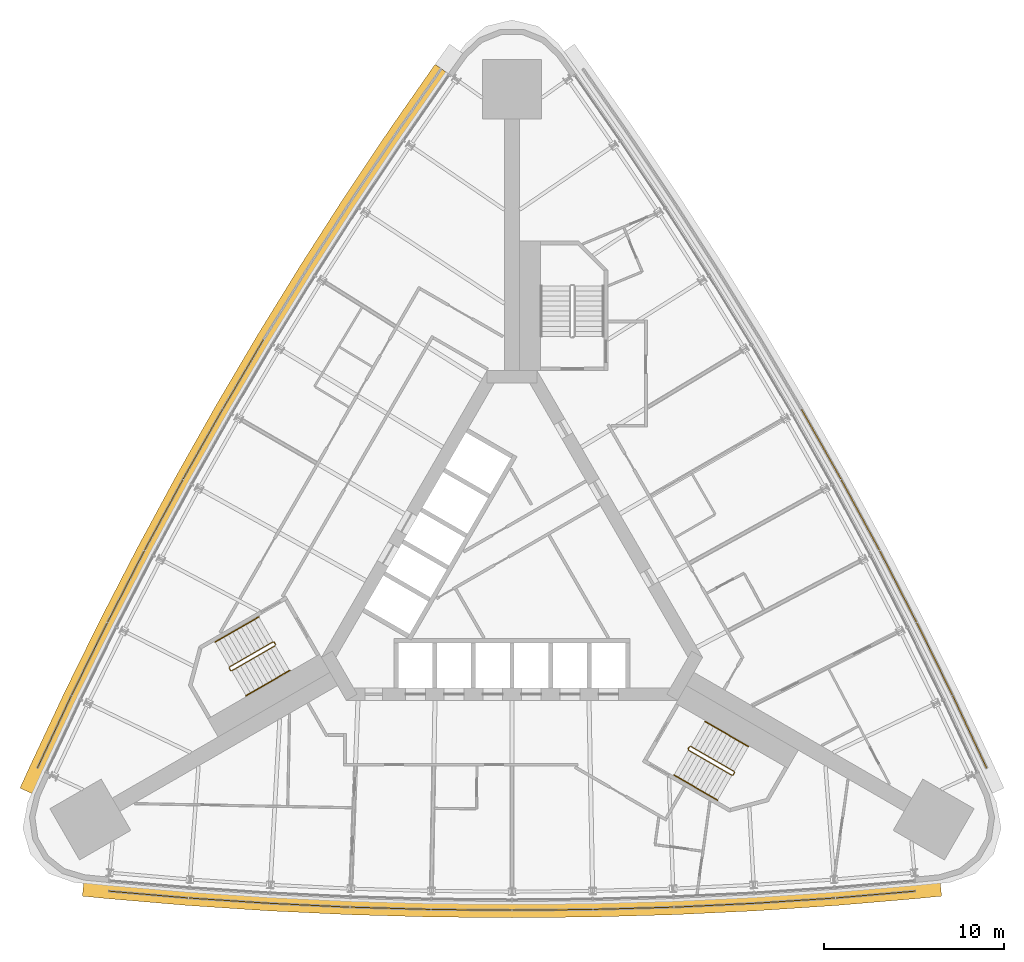
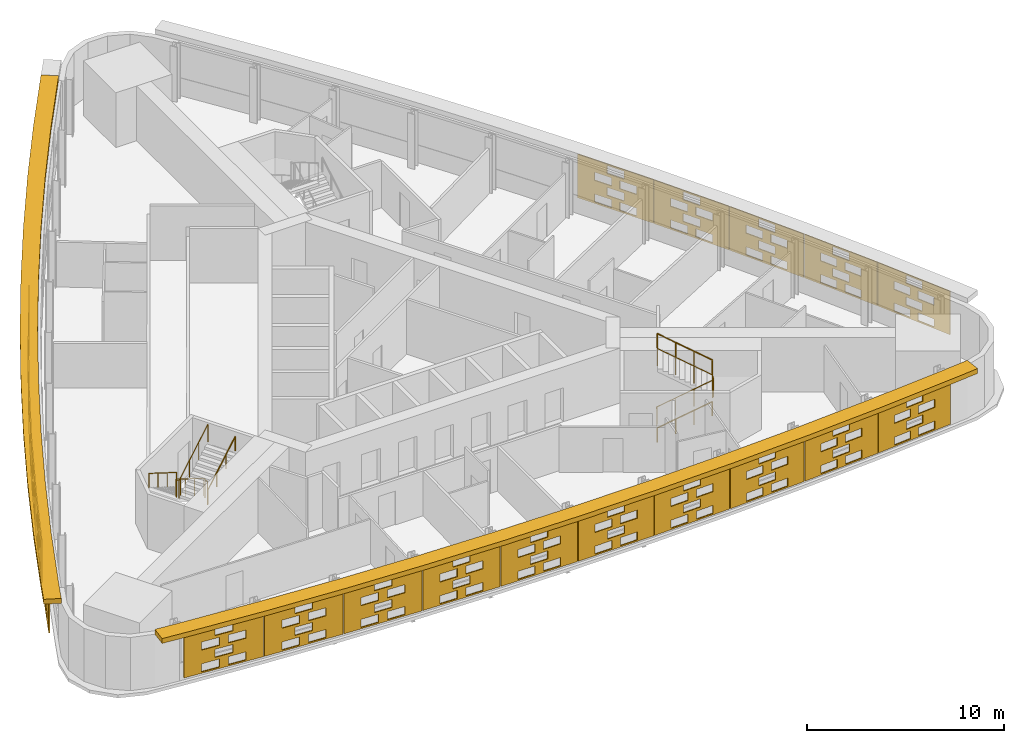
# One storey, part 14 of 15: 23 shading devices, 6 railings.
"""IFC4 building model written with IfcOpenShell, lengths in metres."""

import ifcopenshell
import ifcopenshell.guid

model = None  # the IFC model being written
_history = None  # IfcOwnerHistory: only IFC2X3 demands one
_inside = {}  # id of a spatial element -> (the spatial element, [elements in it])
_under = {}  # id of a project, library or spatial element -> (it, [spatial elements below it])
_declared = {}  # id of a project -> (the project, [libraries it declares])
_typed = {}  # id of a type object -> (the type object, [elements of that type])
_made_of = {}  # id of a material, layer set ... -> (it, [elements and type objects made of it])


def new_model(schema):
    """Start an empty IFC model of exactly this schema.

    Asked for "IFC4X3", IfcOpenShell would pick the latest addendum, in which some entities
    have other attributes; the version numbers below select the first issue.
    IFC2X3 requires an IfcOwnerHistory on every rooted entity: one is made here for all.
    """
    global model, _history
    if schema == "IFC4X3":
        model = ifcopenshell.file(schema_version=(4, 3, 0, 0))
    else:
        model = ifcopenshell.file(schema=schema)
    _inside.clear()
    _under.clear()
    _declared.clear()
    _typed.clear()
    _made_of.clear()
    _history = None
    if model.schema == "IFC2X3":
        org = make("IfcOrganization", Name="unknown")
        user = make(
            "IfcPersonAndOrganization",
            ThePerson=make("IfcPerson", FamilyName="unknown"),
            TheOrganization=org,
        )
        app = make(
            "IfcApplication",
            ApplicationDeveloper=org,
            Version="unknown",
            ApplicationFullName="unknown",
            ApplicationIdentifier="unknown",
        )
        _history = make(
            "IfcOwnerHistory",
            OwningUser=user,
            OwningApplication=app,
            ChangeAction="ADDED",
            CreationDate=0,
        )
    return model


def make(cls, **values):
    """One entity of the class cls with the attributes given. An attribute that is None is left unset."""
    return model.create_entity(
        cls, **{name: value for name, value in values.items() if value is not None}
    )


def rooted(cls, **values):
    """An entity with a GlobalId (a new one), such as an element, a storey or a relation."""
    return make(cls, GlobalId=ifcopenshell.guid.new(), OwnerHistory=_history, **values)


def si_unit(unit_type, name, prefix=None):
    """IfcSIUnit, for example si_unit("LENGTHUNIT", "METRE", prefix="MILLI")."""
    return make("IfcSIUnit", UnitType=unit_type, Prefix=prefix, Name=name)


def assignment(units):
    """IfcUnitAssignment: the units of a project."""
    return None if units is None else make("IfcUnitAssignment", Units=units)


def point(xyz):
    """IfcCartesianPoint."""
    return None if xyz is None else make("IfcCartesianPoint", Coordinates=xyz)


def direction(xyz):
    """IfcDirection."""
    return None if xyz is None else make("IfcDirection", DirectionRatios=xyz)


def frame(location, z_axis=None, x_axis=None):
    """IfcAxis2Placement3D, a coordinate frame: its origin and axes. An axis left out is left unset."""
    return make(
        "IfcAxis2Placement3D",
        Location=point(location),
        Axis=direction(z_axis),
        RefDirection=direction(x_axis),
    )


def frame_2d(location, x_axis=None):
    """IfcAxis2Placement2D, a coordinate frame in the plane: its origin and x axis."""
    return make(
        "IfcAxis2Placement2D", Location=point(location), RefDirection=direction(x_axis)
    )


def origin():
    """The frame at (0, 0, 0) with its axes left unset."""
    return frame((0.0, 0.0, 0.0))


def origin_2d():
    """The frame at (0, 0) in the plane with its x axis left unset."""
    return frame_2d((0.0, 0.0))


def place(relative_to, where):
    """IfcLocalPlacement: puts the frame where relative to a parent placement (None: the world)."""
    return make(
        "IfcLocalPlacement", PlacementRelTo=relative_to, RelativePlacement=where
    )


def context(
    kind, dimensions, precision=None, world=None, true_north=None, identifier=None
):
    """IfcGeometricRepresentationContext, for example the 3D "Model" context."""
    return make(
        "IfcGeometricRepresentationContext",
        ContextIdentifier=identifier,
        ContextType=kind,
        CoordinateSpaceDimension=dimensions,
        Precision=precision,
        WorldCoordinateSystem=world,
        TrueNorth=true_north,
    )


def subcontext(parent, identifier, kind, view, scale=None):
    """IfcGeometricRepresentationSubContext, for example "Body" below "Model"."""
    return make(
        "IfcGeometricRepresentationSubContext",
        ContextIdentifier=identifier,
        ContextType=kind,
        ParentContext=parent,
        TargetScale=scale,
        TargetView=view,
    )


def project(units=None, contexts=None):
    """IfcProject with its units and contexts."""
    return rooted(
        "IfcProject",
        Name="project",
        RepresentationContexts=contexts,
        UnitsInContext=assignment(units),
    )


def spatial(cls, under=None, at=None, **own):
    """A site, building, storey or space (cls), placed at a placement, below another one or the project."""
    s = rooted(cls, ObjectPlacement=at, **own)
    if under is not None:
        _under.setdefault(under.id(), (under, []))[1].append(s)
    return s


def polyline(points):
    """IfcPolyline through the points."""
    return make("IfcPolyline", Points=[point(p) for p in points])


def profile(cls, at=None, kind="AREA", **sizes):
    """A parametric profile (cls). Its sizes go by their IFC names, for example OverallWidth=200.0."""
    return make(cls, ProfileType=kind, Position=at, **sizes)


def circle(**sizes):
    """IfcCircleProfileDef."""
    return profile("IfcCircleProfileDef", **sizes)


def outline(outer, holes=None, kind="AREA"):
    """IfcArbitraryClosedProfileDef: a profile drawn as a closed curve; with holes, ...WithVoids."""
    if holes is None:
        return make("IfcArbitraryClosedProfileDef", ProfileType=kind, OuterCurve=outer)
    return make(
        "IfcArbitraryProfileDefWithVoids",
        ProfileType=kind,
        OuterCurve=outer,
        InnerCurves=holes,
    )


def extrude(swept, where, along, depth):
    """IfcExtrudedAreaSolid: the profile swept, set in the frame where, extruded along a direction by depth."""
    return make(
        "IfcExtrudedAreaSolid",
        SweptArea=swept,
        Position=where,
        ExtrudedDirection=direction(along),
        Depth=depth,
    )


def shape(context_of_items, identifier, shape_type, items):
    """IfcShapeRepresentation: the items that make up one representation, for example the "Body"."""
    return make(
        "IfcShapeRepresentation",
        ContextOfItems=context_of_items,
        RepresentationIdentifier=identifier,
        RepresentationType=shape_type,
        Items=items,
    )


def material(Name=None, Category=None):
    """IfcMaterial."""
    return make("IfcMaterial", Name=Name, Category=Category)


def material_profile(
    of_material, cross_section, Name=None, Category=None, Priority=None
):
    """IfcMaterialProfile: a cross section and its material."""
    return make(
        "IfcMaterialProfile",
        Name=Name,
        Material=of_material,
        Profile=cross_section,
        Priority=Priority,
        Category=Category,
    )


def profile_set(profiles, Name=None, composite=None):
    """IfcMaterialProfileSet."""
    return make(
        "IfcMaterialProfileSet",
        Name=Name,
        MaterialProfiles=profiles,
        CompositeProfile=composite,
    )


def made_of(thing, what):
    """Note that an element or type object is made of a material, layer set ...; save() writes the relation."""
    if what is not None:
        _made_of.setdefault(what.id(), (what, []))[1].append(thing)
    return thing


def type_object(cls, material=None, **own):
    """A type object (cls), such as IfcWallType, which elements share."""
    return made_of(rooted(cls, **own), material)


def element(
    cls,
    number,
    at=None,
    inside=None,
    cuts=None,
    type_object=None,
    material=None,
    context=None,
    identifier="Body",
    shape_type=None,
    held_by="IfcProductDefinitionShape",
    body=None,
    shapes=None,
    **own,
):
    """One element of the class cls, such as IfcWall. Its Tag is "e" and its number.

    at: its placement. inside: the storey or other place that contains it. cuts: it is an
    opening in that element (IfcRelVoidsElement). A single representation is given by context,
    identifier, shape_type and body (its items); several are given by shapes. held_by: the class
    of the entity that holds the representations. save() writes the other relations.
    """
    e = rooted(cls, Tag="e%d" % number, ObjectPlacement=at, **own)
    if body is not None:
        shapes = [shape(context, identifier, shape_type, body)]
    if shapes is not None:
        e.Representation = make(held_by, Representations=shapes)
    if inside is not None:
        _inside.setdefault(inside.id(), (inside, []))[1].append(e)
    if cuts is not None:
        rooted(
            "IfcRelVoidsElement", RelatingBuildingElement=cuts, RelatedOpeningElement=e
        )
    if type_object is not None:
        _typed.setdefault(type_object.id(), (type_object, []))[1].append(e)
    return made_of(e, material)


def aggregate(whole, parts):
    """IfcRelAggregates: a whole, such as a stair, and the parts it consists of."""
    return rooted("IfcRelAggregates", RelatingObject=whole, RelatedObjects=parts)


def save(model, path):
    """Write the relations noted so far, then the file.

    IfcRelAggregates (storeys below a building ...), IfcRelContainedInSpatialStructure (elements
    in a storey), IfcRelDefinesByType, IfcRelAssociatesMaterial and IfcRelDeclares: one each for
    every whole, place, type object, material and project.
    """
    for whole, parts in _under.values():
        aggregate(whole, parts)
    for where, things in _inside.values():
        rooted(
            "IfcRelContainedInSpatialStructure",
            RelatedElements=things,
            RelatingStructure=where,
        )
    for kind, things in _typed.values():
        rooted("IfcRelDefinesByType", RelatedObjects=things, RelatingType=kind)
    for what, things in _made_of.values():
        rooted("IfcRelAssociatesMaterial", RelatedObjects=things, RelatingMaterial=what)
    for by, libraries in _declared.values():
        rooted("IfcRelDeclares", RelatingContext=by, RelatedDefinitions=libraries)
    model.write(path)


model = new_model("IFC4")

# Units and contexts
model_context = context("Model", 3, precision=1e-05, world=origin(), true_north=direction((0.0, 1.0)))
body_context = subcontext(model_context, "Body", "Model", "MODEL_VIEW")
ifc_project = project(units=[si_unit("LENGTHUNIT", "METRE"), si_unit("AREAUNIT", "SQUARE_METRE"), si_unit("VOLUMEUNIT", "CUBIC_METRE"), si_unit("PLANEANGLEUNIT", "RADIAN"), si_unit("MASSUNIT", "GRAM", prefix="KILO")], contexts=[model_context])

# Site, building, storey
site_placement = place(None, origin())
site = spatial("IfcSite", under=ifc_project, at=site_placement, CompositionType="ELEMENT")
building_placement = place(site_placement, origin())
building = spatial("IfcBuilding", under=site, at=building_placement, Name="Noor Cloister Tower", CompositionType="ELEMENT")
storey_placement = place(building_placement, frame((0.0, 0.0, 45.60009765625)))
storey = spatial("IfcBuildingStorey", under=building, at=storey_placement, Name="L11", CompositionType="ELEMENT", Elevation=45.60009765625)

# Shading devices
ifc_material_1 = material(Name="Limestone", Category="masonry")
ifc_material_profile = material_profile(ifc_material_1, outline(polyline([(-2.22998046875, -1.35009765625), (2.22998046875, -1.35009765625), (2.22998046875, 1.35009765625), (-2.22998046875, 1.35009765625), (-2.22998046875, -1.35009765625)]), holes=[polyline([(-1.25, -1.263427734375), (-0.25, -1.263427734375), (-0.25, -0.76171875), (-1.25, -0.76171875), (-1.25, -1.263427734375)]), polyline([(0.25, -1.263427734375), (1.25, -1.263427734375), (1.25, -0.76171875), (0.25, -0.76171875), (0.25, -1.263427734375)]), polyline([(-0.5, -0.58837890625), (0.5, -0.58837890625), (0.5, -0.086669921875), (-0.5, -0.086669921875), (-0.5, -0.58837890625)]), polyline([(-1.25, 0.086669921875), (-0.25, 0.086669921875), (-0.25, 0.58837890625), (-1.25, 0.58837890625), (-1.25, 0.086669921875)]), polyline([(0.25, 0.086669921875), (1.25, 0.086669921875), (1.25, 0.58837890625), (0.25, 0.58837890625), (0.25, 0.086669921875)]), polyline([(-0.5, 0.76171875), (0.5, 0.76171875), (0.5, 1.263427734375), (-0.5, 1.263427734375), (-0.5, 0.76171875)])]), Name="Woven screen 25 percent open")
ifc_profile_set = profile_set([ifc_material_profile], Name="Limestone")
shading_device_type_1 = type_object("IfcShadingDeviceType", Name="SCREEN woven limestone 25 percent open", PredefinedType="USERDEFINED", material=ifc_profile_set)
for number, where, z_axis, x_axis, name in (
    (1, (-14.9462890625, 11.232177734375, 1.849853515625), (-0.863187603129, 0.504883315038, 0.0), (-0.504883315038, -0.863187603129, 0.0), "SCREEN L11 5"),
    (2, (-17.200439453125, 7.327880859375, 1.849853515625), (-0.87048706901, 0.492191286683, 0.0), (-0.492191286683, -0.87048706901, 0.0), "SCREEN L11 6"),
    (3, (-19.38037109375, 3.381591796875, 1.849853515625), (-0.879291966537, 0.476283148541, 0.0), (-0.476283148541, -0.879291966537, 0.0), "SCREEN L11 7"),
):
    element("IfcShadingDevice", number, at=place(storey_placement, frame(where, z_axis=z_axis, x_axis=x_axis)), inside=storey, type_object=shading_device_type_1, Name=name, ObjectType="SCREEN", PredefinedType="USERDEFINED", context=body_context, shape_type="SweptSolid", body=[
        extrude(outline(polyline([(-2.22998046875, -1.35009765625), (2.22998046875, -1.35009765625), (2.22998046875, 1.35009765625), (-2.22998046875, 1.35009765625), (-2.22998046875, -1.35009765625)]), holes=[polyline([(-1.25, -1.263427734375), (-0.25, -1.263427734375), (-0.25, -0.76171875), (-1.25, -0.76171875), (-1.25, -1.263427734375)]), polyline([(0.25, -1.263427734375), (1.25, -1.263427734375), (1.25, -0.76171875), (0.25, -0.76171875), (0.25, -1.263427734375)]), polyline([(-0.5, -0.58837890625), (0.5, -0.58837890625), (0.5, -0.086669921875), (-0.5, -0.086669921875), (-0.5, -0.58837890625)]), polyline([(-1.25, 0.086669921875), (-0.25, 0.086669921875), (-0.25, 0.58837890625), (-1.25, 0.58837890625), (-1.25, 0.086669921875)]), polyline([(0.25, 0.086669921875), (1.25, 0.086669921875), (1.25, 0.58837890625), (0.25, 0.58837890625), (0.25, 0.086669921875)]), polyline([(-0.5, 0.76171875), (0.5, 0.76171875), (0.5, 1.263427734375), (-0.5, 1.263427734375), (-0.5, 0.76171875)])]), origin(), (0.0, 0.0, 1.0), 0.06005859375),
    ])
for number, where, z_axis, x_axis, name in (
    (4, (-21.485107421875, -0.60498046875, 1.849853515625), (-0.88947737876, 0.456979203766, 0.0), (-0.456979203766, -0.88947737876, 0.0), "SCREEN L11 8"),
    (5, (-23.51416015625, -4.630859375, 1.849853515625), (-0.897667610562, 0.440673190639, 0.0), (-0.440673190639, -0.897667610562, 0.0), "SCREEN L11 9"),
    (6, (-25.466796875, -8.6943359375, 1.849853515625), (-0.905556888257, 0.424224848553, 0.0), (-0.424224848553, -0.905556888257, 0.0), "SCREEN L11 10"),
):
    element("IfcShadingDevice", number, at=place(storey_placement, frame(where, z_axis=z_axis, x_axis=x_axis)), inside=storey, type_object=shading_device_type_1, Name=name, ObjectType="SCREEN", PredefinedType="USERDEFINED", context=body_context, shape_type="SweptSolid", body=[
        extrude(outline(polyline([(-2.22998046875, -1.35009765625), (2.22998046875, -1.35009765625), (2.22998046875, 1.35009765625), (-2.22998046875, 1.35009765625), (-2.22998046875, -1.35009765625)]), holes=[polyline([(-1.25, -1.263427734375), (-0.25, -1.263427734375), (-0.25, -0.76171875), (-1.25, -0.76171875), (-1.25, -1.263427734375)]), polyline([(0.25, -1.263427734375), (1.25, -1.263427734375), (1.25, -0.76171875), (0.25, -0.76171875), (0.25, -1.263427734375)]), polyline([(-0.5, -0.58837890625), (0.5, -0.58837890625), (0.5, -0.086669921875), (-0.5, -0.086669921875), (-0.5, -0.58837890625)]), polyline([(-1.25, 0.086669921875), (-0.25, 0.086669921875), (-0.25, 0.58837890625), (-1.25, 0.58837890625), (-1.25, 0.086669921875)]), polyline([(0.25, 0.086669921875), (1.25, 0.086669921875), (1.25, 0.58837890625), (0.25, 0.58837890625), (0.25, 0.086669921875)]), polyline([(-0.5, 0.76171875), (0.5, 0.76171875), (0.5, 1.263427734375), (-0.5, 1.263427734375), (-0.5, 0.76171875)])]), origin(), (0.0, 0.0, 1.0), 0.059814453125),
    ])
for number, where, z_axis, x_axis, name in (
    (7, (-20.262939453125, -17.70751953125, 1.849853515625), (-0.085401141346, -0.996346649042, 0.0), (0.996346649042, -0.085401141346, 0.0), "SCREEN L11 1"),
    (8, (-15.767578125, -18.04833984375, 1.849853515625), (-0.065167304621, -0.997874352015, 0.0), (0.997874352015, -0.065167304621, 0.0), "SCREEN L11 2"),
):
    element("IfcShadingDevice", number, at=place(storey_placement, frame(where, z_axis=z_axis, x_axis=x_axis)), inside=storey, type_object=shading_device_type_1, Name=name, ObjectType="SCREEN", PredefinedType="USERDEFINED", context=body_context, shape_type="SweptSolid", body=[
        extrude(outline(polyline([(-2.22998046875, -1.35009765625), (2.22998046875, -1.35009765625), (2.22998046875, 1.35009765625), (-2.22998046875, 1.35009765625), (-2.22998046875, -1.35009765625)]), holes=[polyline([(-1.25, -1.263427734375), (-0.25, -1.263427734375), (-0.25, -0.76171875), (-1.25, -0.76171875), (-1.25, -1.263427734375)]), polyline([(0.25, -1.263427734375), (1.25, -1.263427734375), (1.25, -0.76171875), (0.25, -0.76171875), (0.25, -1.263427734375)]), polyline([(-0.5, -0.58837890625), (0.5, -0.58837890625), (0.5, -0.086669921875), (-0.5, -0.086669921875), (-0.5, -0.58837890625)]), polyline([(-1.25, 0.086669921875), (-0.25, 0.086669921875), (-0.25, 0.58837890625), (-1.25, 0.58837890625), (-1.25, 0.086669921875)]), polyline([(0.25, 0.086669921875), (1.25, 0.086669921875), (1.25, 0.58837890625), (0.25, 0.58837890625), (0.25, 0.086669921875)]), polyline([(-0.5, 0.76171875), (0.5, 0.76171875), (0.5, 1.263427734375), (-0.5, 1.263427734375), (-0.5, 0.76171875)])]), origin(), (0.0, 0.0, 1.0), 0.06005859375),
    ])
shading_device_1_placement = place(storey_placement, frame((-11.2666015625, -18.30419921875, 1.849853515625), z_axis=(-0.048920946303, -0.998802653687, 0.0), x_axis=(0.998802653687, -0.048920946303, 0.0)))
element("IfcShadingDevice", 9, at=shading_device_1_placement, inside=storey, type_object=shading_device_type_1, Name="SCREEN L11 3", ObjectType="SCREEN", PredefinedType="USERDEFINED", context=body_context, shape_type="SweptSolid", body=[
    extrude(outline(polyline([(-2.22998046875, -1.35009765625), (2.22998046875, -1.35009765625), (2.22998046875, 1.35009765625), (-2.22998046875, 1.35009765625), (-2.22998046875, -1.35009765625)]), holes=[polyline([(-1.25, -1.263427734375), (-0.25, -1.263427734375), (-0.25, -0.76171875), (-1.25, -0.76171875), (-1.25, -1.263427734375)]), polyline([(0.25, -1.263427734375), (1.25, -1.263427734375), (1.25, -0.76171875), (0.25, -0.76171875), (0.25, -1.263427734375)]), polyline([(-0.5, -0.58837890625), (0.5, -0.58837890625), (0.5, -0.086669921875), (-0.5, -0.086669921875), (-0.5, -0.58837890625)]), polyline([(-1.25, 0.086669921875), (-0.25, 0.086669921875), (-0.25, 0.58837890625), (-1.25, 0.58837890625), (-1.25, 0.086669921875)]), polyline([(0.25, 0.086669921875), (1.25, 0.086669921875), (1.25, 0.58837890625), (0.25, 0.58837890625), (0.25, 0.086669921875)]), polyline([(-0.5, 0.76171875), (0.5, 0.76171875), (0.5, 1.263427734375), (-0.5, 1.263427734375), (-0.5, 0.76171875)])]), origin(), (0.0, 0.0, 1.0), 0.059814453125),
])
for number, where, z_axis, x_axis, name in (
    (10, (-6.761474609375, -18.474609375, 1.849853515625), (-0.028443771376, -0.999595394082, 0.0), (0.999595394082, -0.028443771376, 0.0), "SCREEN L11 4"),
    (11, (-2.254150390625, -18.559814453125, 1.849853515625), (-0.008129812622, -0.999966952527, 0.0), (0.999966952527, -0.008129812622, 0.0), "SCREEN L11 5"),
    (12, (2.254150390625, -18.559814453125, 1.849853515625), (0.008129812622, -0.999966952527, 0.0), (0.999966952527, 0.008129812622, 0.0), "SCREEN L11 6"),
    (13, (6.761474609375, -18.474609375, 1.849853515625), (0.028443771376, -0.999595394082, 0.0), (0.999595394082, 0.028443771376, 0.0), "SCREEN L11 7"),
):
    element("IfcShadingDevice", number, at=place(storey_placement, frame(where, z_axis=z_axis, x_axis=x_axis)), inside=storey, type_object=shading_device_type_1, Name=name, ObjectType="SCREEN", PredefinedType="USERDEFINED", context=body_context, shape_type="SweptSolid", body=[
        extrude(outline(polyline([(-2.22998046875, -1.35009765625), (2.22998046875, -1.35009765625), (2.22998046875, 1.35009765625), (-2.22998046875, 1.35009765625), (-2.22998046875, -1.35009765625)]), holes=[polyline([(-1.25, -1.263427734375), (-0.25, -1.263427734375), (-0.25, -0.76171875), (-1.25, -0.76171875), (-1.25, -1.263427734375)]), polyline([(0.25, -1.263427734375), (1.25, -1.263427734375), (1.25, -0.76171875), (0.25, -0.76171875), (0.25, -1.263427734375)]), polyline([(-0.5, -0.58837890625), (0.5, -0.58837890625), (0.5, -0.086669921875), (-0.5, -0.086669921875), (-0.5, -0.58837890625)]), polyline([(-1.25, 0.086669921875), (-0.25, 0.086669921875), (-0.25, 0.58837890625), (-1.25, 0.58837890625), (-1.25, 0.086669921875)]), polyline([(0.25, 0.086669921875), (1.25, 0.086669921875), (1.25, 0.58837890625), (0.25, 0.58837890625), (0.25, 0.086669921875)]), polyline([(-0.5, 0.76171875), (0.5, 0.76171875), (0.5, 1.263427734375), (-0.5, 1.263427734375), (-0.5, 0.76171875)])]), origin(), (0.0, 0.0, 1.0), 0.06005859375),
    ])
shading_device_2_placement = place(storey_placement, frame((11.2666015625, -18.30419921875, 1.849853515625), z_axis=(0.048920946303, -0.998802653687, 0.0), x_axis=(0.998802653687, 0.048920946303, 0.0)))
element("IfcShadingDevice", 14, at=shading_device_2_placement, inside=storey, type_object=shading_device_type_1, Name="SCREEN L11 8", ObjectType="SCREEN", PredefinedType="USERDEFINED", context=body_context, shape_type="SweptSolid", body=[
    extrude(outline(polyline([(-2.22998046875, -1.35009765625), (2.22998046875, -1.35009765625), (2.22998046875, 1.35009765625), (-2.22998046875, 1.35009765625), (-2.22998046875, -1.35009765625)]), holes=[polyline([(-1.25, -1.263427734375), (-0.25, -1.263427734375), (-0.25, -0.76171875), (-1.25, -0.76171875), (-1.25, -1.263427734375)]), polyline([(0.25, -1.263427734375), (1.25, -1.263427734375), (1.25, -0.76171875), (0.25, -0.76171875), (0.25, -1.263427734375)]), polyline([(-0.5, -0.58837890625), (0.5, -0.58837890625), (0.5, -0.086669921875), (-0.5, -0.086669921875), (-0.5, -0.58837890625)]), polyline([(-1.25, 0.086669921875), (-0.25, 0.086669921875), (-0.25, 0.58837890625), (-1.25, 0.58837890625), (-1.25, 0.086669921875)]), polyline([(0.25, 0.086669921875), (1.25, 0.086669921875), (1.25, 0.58837890625), (0.25, 0.58837890625), (0.25, 0.086669921875)]), polyline([(-0.5, 0.76171875), (0.5, 0.76171875), (0.5, 1.263427734375), (-0.5, 1.263427734375), (-0.5, 0.76171875)])]), origin(), (0.0, 0.0, 1.0), 0.059814453125),
])
for number, where, z_axis, x_axis, name in (
    (15, (15.767578125, -18.04833984375, 1.849853515625), (0.065167304621, -0.997874352015, 0.0), (0.997874352015, 0.065167304621, 0.0), "SCREEN L11 9"),
    (16, (20.262939453125, -17.70751953125, 1.849853515625), (0.085401141346, -0.996346649042, 0.0), (0.996346649042, 0.085401141346, 0.0), "SCREEN L11 10"),
):
    element("IfcShadingDevice", number, at=place(storey_placement, frame(where, z_axis=z_axis, x_axis=x_axis)), inside=storey, type_object=shading_device_type_1, Name=name, ObjectType="SCREEN", PredefinedType="USERDEFINED", context=body_context, shape_type="SweptSolid", body=[
        extrude(outline(polyline([(-2.22998046875, -1.35009765625), (2.22998046875, -1.35009765625), (2.22998046875, 1.35009765625), (-2.22998046875, 1.35009765625), (-2.22998046875, -1.35009765625)]), holes=[polyline([(-1.25, -1.263427734375), (-0.25, -1.263427734375), (-0.25, -0.76171875), (-1.25, -0.76171875), (-1.25, -1.263427734375)]), polyline([(0.25, -1.263427734375), (1.25, -1.263427734375), (1.25, -0.76171875), (0.25, -0.76171875), (0.25, -1.263427734375)]), polyline([(-0.5, -0.58837890625), (0.5, -0.58837890625), (0.5, -0.086669921875), (-0.5, -0.086669921875), (-0.5, -0.58837890625)]), polyline([(-1.25, 0.086669921875), (-0.25, 0.086669921875), (-0.25, 0.58837890625), (-1.25, 0.58837890625), (-1.25, 0.086669921875)]), polyline([(0.25, 0.086669921875), (1.25, 0.086669921875), (1.25, 0.58837890625), (0.25, 0.58837890625), (0.25, 0.086669921875)]), polyline([(-0.5, 0.76171875), (0.5, 0.76171875), (0.5, 1.263427734375), (-0.5, 1.263427734375), (-0.5, 0.76171875)])]), origin(), (0.0, 0.0, 1.0), 0.06005859375),
    ])
for number, where, z_axis, x_axis, name in (
    (17, (25.466796875, -8.6943359375, 1.849853515625), (0.905556888257, 0.424224848553, 0.0), (-0.424224848553, 0.905556888257, 0.0), "SCREEN L11 1"),
    (18, (23.51416015625, -4.630859375, 1.849853515625), (0.897667610562, 0.440673190639, 0.0), (-0.440673190639, 0.897667610562, 0.0), "SCREEN L11 2"),
    (19, (21.485107421875, -0.60498046875, 1.849853515625), (0.88947737876, 0.456979203766, 0.0), (-0.456979203766, 0.88947737876, 0.0), "SCREEN L11 3"),
):
    element("IfcShadingDevice", number, at=place(storey_placement, frame(where, z_axis=z_axis, x_axis=x_axis)), inside=storey, type_object=shading_device_type_1, Name=name, ObjectType="SCREEN", PredefinedType="USERDEFINED", context=body_context, shape_type="SweptSolid", body=[
        extrude(outline(polyline([(-2.22998046875, -1.35009765625), (2.22998046875, -1.35009765625), (2.22998046875, 1.35009765625), (-2.22998046875, 1.35009765625), (-2.22998046875, -1.35009765625)]), holes=[polyline([(-1.25, -1.263427734375), (-0.25, -1.263427734375), (-0.25, -0.76171875), (-1.25, -0.76171875), (-1.25, -1.263427734375)]), polyline([(0.25, -1.263427734375), (1.25, -1.263427734375), (1.25, -0.76171875), (0.25, -0.76171875), (0.25, -1.263427734375)]), polyline([(-0.5, -0.58837890625), (0.5, -0.58837890625), (0.5, -0.086669921875), (-0.5, -0.086669921875), (-0.5, -0.58837890625)]), polyline([(-1.25, 0.086669921875), (-0.25, 0.086669921875), (-0.25, 0.58837890625), (-1.25, 0.58837890625), (-1.25, 0.086669921875)]), polyline([(0.25, 0.086669921875), (1.25, 0.086669921875), (1.25, 0.58837890625), (0.25, 0.58837890625), (0.25, 0.086669921875)]), polyline([(-0.5, 0.76171875), (0.5, 0.76171875), (0.5, 1.263427734375), (-0.5, 1.263427734375), (-0.5, 0.76171875)])]), origin(), (0.0, 0.0, 1.0), 0.059814453125),
    ])
for number, where, z_axis, x_axis, name in (
    (20, (19.38037109375, 3.381591796875, 1.849853515625), (0.879291966537, 0.476283148541, 0.0), (-0.476283148541, 0.879291966537, 0.0), "SCREEN L11 4"),
    (21, (17.200439453125, 7.327880859375, 1.849853515625), (0.87048706901, 0.492191286683, 0.0), (-0.492191286683, 0.87048706901, 0.0), "SCREEN L11 5"),
):
    element("IfcShadingDevice", number, at=place(storey_placement, frame(where, z_axis=z_axis, x_axis=x_axis)), inside=storey, type_object=shading_device_type_1, Name=name, ObjectType="SCREEN", PredefinedType="USERDEFINED", context=body_context, shape_type="SweptSolid", body=[
        extrude(outline(polyline([(-2.22998046875, -1.35009765625), (2.22998046875, -1.35009765625), (2.22998046875, 1.35009765625), (-2.22998046875, 1.35009765625), (-2.22998046875, -1.35009765625)]), holes=[polyline([(-1.25, -1.263427734375), (-0.25, -1.263427734375), (-0.25, -0.76171875), (-1.25, -0.76171875), (-1.25, -1.263427734375)]), polyline([(0.25, -1.263427734375), (1.25, -1.263427734375), (1.25, -0.76171875), (0.25, -0.76171875), (0.25, -1.263427734375)]), polyline([(-0.5, -0.58837890625), (0.5, -0.58837890625), (0.5, -0.086669921875), (-0.5, -0.086669921875), (-0.5, -0.58837890625)]), polyline([(-1.25, 0.086669921875), (-0.25, 0.086669921875), (-0.25, 0.58837890625), (-1.25, 0.58837890625), (-1.25, 0.086669921875)]), polyline([(0.25, 0.086669921875), (1.25, 0.086669921875), (1.25, 0.58837890625), (0.25, 0.58837890625), (0.25, 0.086669921875)]), polyline([(-0.5, 0.76171875), (0.5, 0.76171875), (0.5, 1.263427734375), (-0.5, 1.263427734375), (-0.5, 0.76171875)])]), origin(), (0.0, 0.0, 1.0), 0.06005859375),
    ])
ifc_material_2 = material(Name="Limestone", Category="masonry")
shading_device_type_2 = type_object("IfcShadingDeviceType", Name="SUNSHADE limestone band 900", PredefinedType="USERDEFINED", material=ifc_material_2)
shading_device_3_placement = place(storey_placement, frame((0.0, 0.0, 3.2998046875)))
element("IfcShadingDevice", 22, at=shading_device_3_placement, inside=storey, type_object=shading_device_type_2, Name="SUNSHADE L11 1", ObjectType="SUNSHADE", PredefinedType="USERDEFINED", context=body_context, shape_type="SweptSolid", body=[
    extrude(outline(polyline([(-4.286376953125, 28.505126953125), (-6.864501953125, 24.806396484375), (-9.376708984375, 21.052734375), (-11.817626953125, 17.251953125), (-14.18603515625, 13.40576171875), (-16.4814453125, 9.515625), (-18.702880859375, 5.58251953125), (-20.849365234375, 1.6083984375), (-22.92041015625, -2.40576171875), (-24.915283203125, -6.45849609375), (-26.831787109375, -10.54541015625), (-27.4052734375, -11.808837890625), (-26.585693359375, -12.180908203125), (-26.014404296875, -10.922607421875), (-24.10400390625, -6.848388671875), (-22.11669921875, -2.81103515625), (-20.053466796875, 1.18798828125), (-17.9150390625, 5.1474609375), (-15.7021484375, 9.065673828125), (-13.415283203125, 12.941162109375), (-11.0556640625, 16.77294921875), (-8.6240234375, 20.55908203125), (-6.12109375, 24.298828125), (-3.548095703125, 27.990478515625), (-4.286376953125, 28.505126953125)])), origin(), (0.0, 0.0, 1.0), 0.300048828125),
])
shading_device_4_placement = place(storey_placement, frame((0.0, 0.0, 3.2998046875)))
element("IfcShadingDevice", 23, at=shading_device_4_placement, inside=storey, type_object=shading_device_type_2, Name="SUNSHADE L11 2", ObjectType="SUNSHADE", PredefinedType="USERDEFINED", context=body_context, shape_type="SweptSolid", body=[
    extrude(outline(polyline([(-23.929443359375, -17.8291015625), (-22.548583984375, -17.964111328125), (-18.05078125, -18.347900390625), (-13.543701171875, -18.646728515625), (-9.031982421875, -18.8603515625), (-4.516845703125, -18.988525390625), (0.0, -19.03125), (4.516845703125, -18.988525390625), (9.031982421875, -18.8603515625), (13.543701171875, -18.646728515625), (18.05078125, -18.347900390625), (22.548583984375, -17.964111328125), (23.929443359375, -17.8291015625), (23.841796875, -16.933349609375), (22.466552734375, -17.06787109375), (17.98291015625, -17.450439453125), (13.49267578125, -17.748291015625), (8.997802734375, -17.9609375), (4.499755859375, -18.088623046875), (0.0, -18.131103515625), (-4.499755859375, -18.088623046875), (-8.997802734375, -17.9609375), (-13.49267578125, -17.748291015625), (-17.98291015625, -17.450439453125), (-22.466552734375, -17.06787109375), (-23.841796875, -16.933349609375), (-23.929443359375, -17.8291015625)])), origin(), (0.0, 0.0, 1.0), 0.300048828125),
])

# Railings
ifc_material_3 = material(Name="Stainless steel", Category="steel")
railing_type_1 = type_object("IfcRailingType", Name="Stair guard 1100", PredefinedType="GUARDRAIL", material=ifc_material_3)
railing_1_placement = place(storey_placement, frame((-13.241455078125, -3.677734375, 0.0)))
element("IfcRailing", 24, at=railing_1_placement, inside=storey, type_object=railing_type_1, Name="Stair guard ST2 L11", PredefinedType="GUARDRAIL", context=body_context, shape_type="SweptSolid", body=[
    extrude(circle(Radius=0.02392578125, at=origin_2d()), frame((0.0, 0.0, 1.076171875), z_axis=(0.499112439033, -0.866537231285, 0.0), x_axis=(0.866537231285, 0.499112439033, 0.0)), (0.0, 0.0, 1.0), 0.150146484375),
    extrude(circle(Radius=0.02392578125, at=origin_2d()), frame((0.074951171875, -0.130126953125, 1.076171875), z_axis=(-0.544565797804, 0.563119998752, 0.621565731736), x_axis=(-0.718850276695, -0.695164929852, 0.0)), (0.0, 0.0, 1.0), 0.26318359375),
    extrude(circle(Radius=0.02392578125, at=origin_2d()), frame((-0.068359375, 0.01806640625, 1.23974609375), z_axis=(-0.74771821388, -0.431677027627, 0.504551698492), x_axis=(0.49998411664, -0.866034573852, 0.0)), (0.0, 0.0, 1.0), 3.242919921875),
    extrude(circle(Radius=0.02392578125, at=origin_2d()), frame((-2.4931640625, -1.3818359375, 2.8759765625), z_axis=(-0.258736085224, -0.965948051503, 0.0), x_axis=(0.965948051503, -0.258736085224, 0.0)), (0.0, 0.0, 1.0), 0.07080078125),
    extrude(circle(Radius=0.02392578125, at=origin_2d()), frame((-2.511474609375, -1.4501953125, 2.8759765625), z_axis=(0.499816412211, -0.866131372301, 0.0), x_axis=(0.866131372301, 0.499816412211, 0.0)), (0.0, 0.0, 1.0), 0.14990234375),
    extrude(circle(Radius=0.02392578125, at=origin_2d()), frame((-2.4365234375, -1.580078125, 2.8759765625), z_axis=(0.383070988865, -0.102608300589, 0.918002262601), x_axis=(0.258736085224, 0.965948051503, 0.0)), (0.0, 0.0, 1.0), 0.178466796875),
    extrude(circle(Radius=0.02392578125, at=origin_2d()), frame((-2.3681640625, -1.598388671875, 3.03955078125), z_axis=(0.747693913401, 0.431738279637, 0.504535300807), x_axis=(-0.500049511043, 0.865996816683, 0.0)), (0.0, 0.0, 1.0), 3.2431640625),
    extrude(circle(Radius=0.02099609375, at=origin_2d()), origin(), (0.0, 0.0, 1.0), 1.052001953125),
    extrude(circle(Radius=0.02099609375, at=origin_2d()), frame((0.074951171875, -0.130126953125, 0.0)), (0.0, 0.0, 1.0), 1.052001953125),
    extrude(circle(Radius=0.02099609375, at=origin_2d()), frame((-0.068359375, 0.01806640625, 0.16357421875)), (0.0, 0.0, 1.0), 1.052001953125),
    extrude(circle(Radius=0.02099609375, at=origin_2d()), frame((-0.876708984375, -0.448486328125, 0.708984375)), (0.0, 0.0, 1.0), 1.052001953125),
    extrude(circle(Radius=0.02099609375, at=origin_2d()), frame((-1.684814453125, -0.915283203125, 1.25439453125)), (0.0, 0.0, 1.0), 1.052001953125),
    extrude(circle(Radius=0.02099609375, at=origin_2d()), frame((-2.4931640625, -1.3818359375, 1.7998046875)), (0.0, 0.0, 1.0), 1.052001953125),
    extrude(circle(Radius=0.02099609375, at=origin_2d()), frame((-2.511474609375, -1.4501953125, 1.7998046875)), (0.0, 0.0, 1.0), 1.052001953125),
    extrude(circle(Radius=0.02099609375, at=origin_2d()), frame((-2.4365234375, -1.580078125, 1.7998046875)), (0.0, 0.0, 1.0), 1.052001953125),
    extrude(circle(Radius=0.02099609375, at=origin_2d()), frame((-2.3681640625, -1.598388671875, 1.963623046875)), (0.0, 0.0, 1.0), 1.052001953125),
    extrude(circle(Radius=0.02099609375, at=origin_2d()), frame((-1.559814453125, -1.131591796875, 2.509033203125)), (0.0, 0.0, 1.0), 1.052001953125),
    extrude(circle(Radius=0.02099609375, at=origin_2d()), frame((-0.751708984375, -0.6650390625, 3.054443359375)), (0.0, 0.0, 1.0), 1.052001953125),
    extrude(circle(Radius=0.02099609375, at=origin_2d()), frame((0.056640625, -0.1982421875, 3.599853515625)), (0.0, 0.0, 1.0), 1.052001953125),
])
railing_2_placement = place(storey_placement, frame((9.805908203125, -9.628662109375, 0.0)))
element("IfcRailing", 25, at=railing_2_placement, inside=storey, type_object=railing_type_1, Name="Stair guard ST3 L11", PredefinedType="GUARDRAIL", context=body_context, shape_type="SweptSolid", body=[
    extrude(circle(Radius=0.02392578125, at=origin_2d()), frame((0.0, 0.0, 1.076171875), z_axis=(0.499112439033, 0.866537231285, 0.0), x_axis=(-0.866537231285, 0.499112439033, 0.0)), (0.0, 0.0, 1.0), 0.150146484375),
    extrude(circle(Radius=0.02392578125, at=origin_2d()), frame((0.074951171875, 0.130126953125, 1.076171875), z_axis=(-0.215214839654, -0.753251938789, 0.621525614518), x_axis=(0.961523947641, -0.274721127897, 0.0)), (0.0, 0.0, 1.0), 0.26318359375),
    extrude(circle(Radius=0.02392578125, at=origin_2d()), frame((0.018310546875, -0.068115234375, 1.23974609375), z_axis=(0.747693913401, -0.431738279637, 0.504535300807), x_axis=(0.500049511043, 0.865996816683, 0.0)), (0.0, 0.0, 1.0), 3.2431640625),
    extrude(circle(Radius=0.02392578125, at=origin_2d()), frame((2.443115234375, -1.46826171875, 2.8759765625), z_axis=(0.965948051503, 0.258736085224, 0.0), x_axis=(-0.258736085224, 0.965948051503, 0.0)), (0.0, 0.0, 1.0), 0.07080078125),
    extrude(circle(Radius=0.02392578125, at=origin_2d()), frame((2.511474609375, -1.449951171875, 2.8759765625), z_axis=(0.499816412211, 0.866131372301, 0.0), x_axis=(-0.866131372301, 0.499816412211, 0.0)), (0.0, 0.0, 1.0), 0.14990234375),
    extrude(circle(Radius=0.02392578125, at=origin_2d()), frame((2.58642578125, -1.320068359375, 2.8759765625), z_axis=(-0.102608300589, 0.383070988865, 0.918002262601), x_axis=(-0.965948051503, -0.258736085224, 0.0)), (0.0, 0.0, 1.0), 0.178466796875),
    extrude(circle(Radius=0.02392578125, at=origin_2d()), frame((2.568115234375, -1.251708984375, 3.03955078125), z_axis=(-0.74771821388, 0.431677027627, 0.504551698492), x_axis=(-0.49998411664, -0.866034573852, 0.0)), (0.0, 0.0, 1.0), 3.242919921875),
    extrude(circle(Radius=0.02099609375, at=origin_2d()), origin(), (0.0, 0.0, 1.0), 1.052001953125),
    extrude(circle(Radius=0.02099609375, at=origin_2d()), frame((0.074951171875, 0.130126953125, 0.0)), (0.0, 0.0, 1.0), 1.052001953125),
    extrude(circle(Radius=0.02099609375, at=origin_2d()), frame((0.018310546875, -0.068115234375, 0.16357421875)), (0.0, 0.0, 1.0), 1.052001953125),
    extrude(circle(Radius=0.02099609375, at=origin_2d()), frame((0.82666015625, -0.534912109375, 0.708984375)), (0.0, 0.0, 1.0), 1.052001953125),
    extrude(circle(Radius=0.02099609375, at=origin_2d()), frame((1.634765625, -1.00146484375, 1.25439453125)), (0.0, 0.0, 1.0), 1.052001953125),
    extrude(circle(Radius=0.02099609375, at=origin_2d()), frame((2.443115234375, -1.46826171875, 1.7998046875)), (0.0, 0.0, 1.0), 1.052001953125),
    extrude(circle(Radius=0.02099609375, at=origin_2d()), frame((2.511474609375, -1.449951171875, 1.7998046875)), (0.0, 0.0, 1.0), 1.052001953125),
    extrude(circle(Radius=0.02099609375, at=origin_2d()), frame((2.58642578125, -1.320068359375, 1.7998046875)), (0.0, 0.0, 1.0), 1.052001953125),
    extrude(circle(Radius=0.02099609375, at=origin_2d()), frame((2.568115234375, -1.251708984375, 1.963623046875)), (0.0, 0.0, 1.0), 1.052001953125),
    extrude(circle(Radius=0.02099609375, at=origin_2d()), frame((1.759765625, -0.78515625, 2.509033203125)), (0.0, 0.0, 1.0), 1.052001953125),
    extrude(circle(Radius=0.02099609375, at=origin_2d()), frame((0.95166015625, -0.318359375, 3.054443359375)), (0.0, 0.0, 1.0), 1.052001953125),
    extrude(circle(Radius=0.02099609375, at=origin_2d()), frame((0.143310546875, 0.148193359375, 3.599853515625)), (0.0, 0.0, 1.0), 1.052001953125),
])
ifc_material_4 = material(Name="Stainless steel", Category="steel")
railing_type_2 = type_object("IfcRailingType", Name="Stair handrail 900", PredefinedType="HANDRAIL", material=ifc_material_4)
railing_3_placement = place(storey_placement, frame((-14.10986328125, -2.27392578125, 0.16357421875)))
element("IfcRailing", 26, at=railing_3_placement, inside=storey, type_object=railing_type_2, Name="Stair handrail ST2 L11 1", PredefinedType="HANDRAIL", context=body_context, shape_type="SweptSolid", body=[
    extrude(circle(Radius=0.02392578125, at=origin_2d()), frame((0.0, 0.0, 0.8759765625), z_axis=(-0.74771821388, -0.431677027627, 0.504551698492), x_axis=(0.49998411664, -0.866034573852, 0.0)), (0.0, 0.0, 1.0), 3.242919921875),
    extrude(circle(Radius=0.02099609375, at=origin_2d()), origin(), (0.0, 0.0, 1.0), 0.851806640625),
    extrude(circle(Radius=0.02099609375, at=origin_2d()), frame((-0.808349609375, -0.466552734375, 0.54541015625)), (0.0, 0.0, 1.0), 0.851806640625),
    extrude(circle(Radius=0.02099609375, at=origin_2d()), frame((-1.616455078125, -0.933349609375, 1.0908203125)), (0.0, 0.0, 1.0), 0.851806640625),
    extrude(circle(Radius=0.02099609375, at=origin_2d()), frame((-2.4248046875, -1.39990234375, 1.63623046875)), (0.0, 0.0, 1.0), 0.851806640625),
])
railing_4_placement = place(storey_placement, frame((-14.8095703125, -6.66162109375, 1.963623046875)))
element("IfcRailing", 27, at=railing_4_placement, inside=storey, type_object=railing_type_2, Name="Stair handrail ST2 L11 2", PredefinedType="HANDRAIL", context=body_context, shape_type="SweptSolid", body=[
    extrude(circle(Radius=0.02392578125, at=origin_2d()), frame((0.0, 0.0, 0.8759765625), z_axis=(0.74771821388, 0.431677027627, 0.504551698492), x_axis=(-0.49998411664, 0.866034573852, 0.0)), (0.0, 0.0, 1.0), 3.242919921875),
    extrude(circle(Radius=0.02099609375, at=origin_2d()), origin(), (0.0, 0.0, 1.0), 0.851806640625),
    extrude(circle(Radius=0.02099609375, at=origin_2d()), frame((0.808349609375, 0.466552734375, 0.54541015625)), (0.0, 0.0, 1.0), 0.851806640625),
    extrude(circle(Radius=0.02099609375, at=origin_2d()), frame((1.616455078125, 0.933349609375, 1.0908203125)), (0.0, 0.0, 1.0), 0.851806640625),
    extrude(circle(Radius=0.02099609375, at=origin_2d()), frame((2.4248046875, 1.39990234375, 1.63623046875)), (0.0, 0.0, 1.0), 0.851806640625),
])
railing_5_placement = place(storey_placement, frame((9.024169921875, -11.08251953125, 0.16357421875)))
element("IfcRailing", 28, at=railing_5_placement, inside=storey, type_object=railing_type_2, Name="Stair handrail ST3 L11 1", PredefinedType="HANDRAIL", context=body_context, shape_type="SweptSolid", body=[
    extrude(circle(Radius=0.02392578125, at=origin_2d()), frame((0.0, 0.0, 0.8759765625), z_axis=(0.74771821388, -0.431677027627, 0.504551698492), x_axis=(0.49998411664, 0.866034573852, 0.0)), (0.0, 0.0, 1.0), 3.242919921875),
    extrude(circle(Radius=0.02099609375, at=origin_2d()), origin(), (0.0, 0.0, 1.0), 0.851806640625),
    extrude(circle(Radius=0.02099609375, at=origin_2d()), frame((0.808349609375, -0.466552734375, 0.54541015625)), (0.0, 0.0, 1.0), 0.851806640625),
    extrude(circle(Radius=0.02099609375, at=origin_2d()), frame((1.616455078125, -0.933349609375, 1.0908203125)), (0.0, 0.0, 1.0), 0.851806640625),
    extrude(circle(Radius=0.02099609375, at=origin_2d()), frame((2.4248046875, -1.39990234375, 1.63623046875)), (0.0, 0.0, 1.0), 0.851806640625),
])
railing_6_placement = place(storey_placement, frame((13.174072265625, -9.49462890625, 1.963623046875)))
element("IfcRailing", 29, at=railing_6_placement, inside=storey, type_object=railing_type_2, Name="Stair handrail ST3 L11 2", PredefinedType="HANDRAIL", context=body_context, shape_type="SweptSolid", body=[
    extrude(circle(Radius=0.02392578125, at=origin_2d()), frame((0.0, 0.0, 0.8759765625), z_axis=(-0.74771821388, 0.431677027627, 0.504551698492), x_axis=(-0.49998411664, -0.866034573852, 0.0)), (0.0, 0.0, 1.0), 3.242919921875),
    extrude(circle(Radius=0.02099609375, at=origin_2d()), origin(), (0.0, 0.0, 1.0), 0.851806640625),
    extrude(circle(Radius=0.02099609375, at=origin_2d()), frame((-0.808349609375, 0.466552734375, 0.54541015625)), (0.0, 0.0, 1.0), 0.851806640625),
    extrude(circle(Radius=0.02099609375, at=origin_2d()), frame((-1.616455078125, 0.933349609375, 1.0908203125)), (0.0, 0.0, 1.0), 0.851806640625),
    extrude(circle(Radius=0.02099609375, at=origin_2d()), frame((-2.4248046875, 1.39990234375, 1.63623046875)), (0.0, 0.0, 1.0), 0.851806640625),
])

save(model, "model.ifc")
